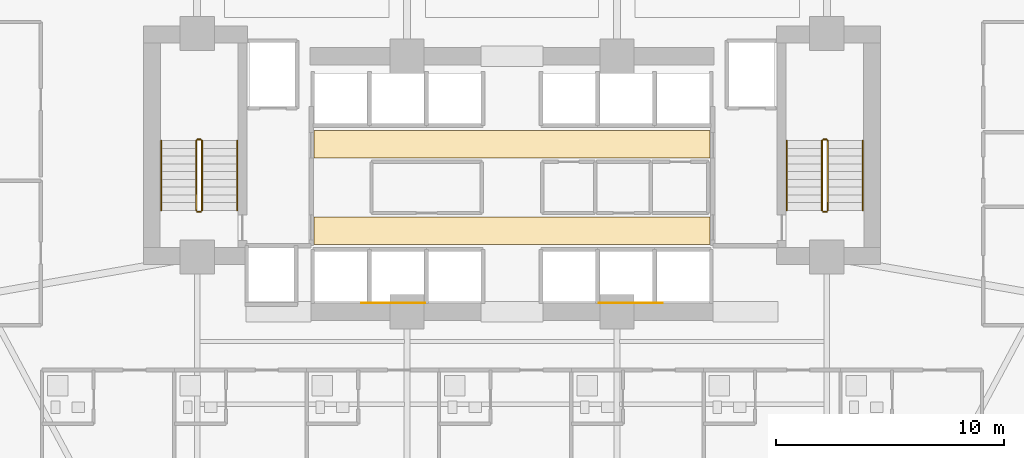
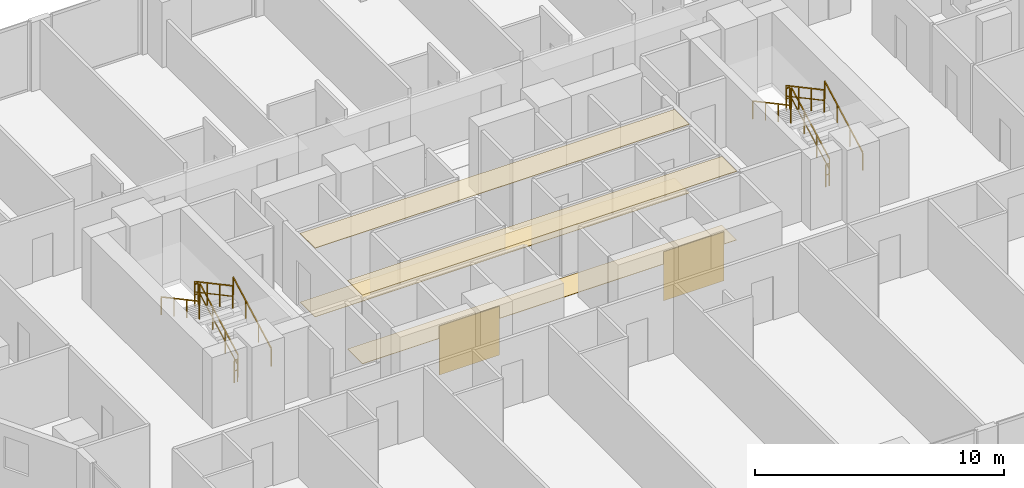
# One storey, part 27 of 29: 12 railings, 6 coverings.
"""IFC4 building model written with IfcOpenShell, lengths in metres."""

import ifcopenshell
import ifcopenshell.guid

model = None  # the IFC model being written
_history = None  # IfcOwnerHistory: only IFC2X3 demands one
_inside = {}  # id of a spatial element -> (the spatial element, [elements in it])
_under = {}  # id of a project, library or spatial element -> (it, [spatial elements below it])
_declared = {}  # id of a project -> (the project, [libraries it declares])
_typed = {}  # id of a type object -> (the type object, [elements of that type])
_made_of = {}  # id of a material, layer set ... -> (it, [elements and type objects made of it])


def new_model(schema):
    """Start an empty IFC model of exactly this schema.

    Asked for "IFC4X3", IfcOpenShell would pick the latest addendum, in which some entities
    have other attributes; the version numbers below select the first issue.
    IFC2X3 requires an IfcOwnerHistory on every rooted entity: one is made here for all.
    """
    global model, _history
    if schema == "IFC4X3":
        model = ifcopenshell.file(schema_version=(4, 3, 0, 0))
    else:
        model = ifcopenshell.file(schema=schema)
    _inside.clear()
    _under.clear()
    _declared.clear()
    _typed.clear()
    _made_of.clear()
    _history = None
    if model.schema == "IFC2X3":
        org = make("IfcOrganization", Name="unknown")
        user = make(
            "IfcPersonAndOrganization",
            ThePerson=make("IfcPerson", FamilyName="unknown"),
            TheOrganization=org,
        )
        app = make(
            "IfcApplication",
            ApplicationDeveloper=org,
            Version="unknown",
            ApplicationFullName="unknown",
            ApplicationIdentifier="unknown",
        )
        _history = make(
            "IfcOwnerHistory",
            OwningUser=user,
            OwningApplication=app,
            ChangeAction="ADDED",
            CreationDate=0,
        )
    return model


def make(cls, **values):
    """One entity of the class cls with the attributes given. An attribute that is None is left unset."""
    return model.create_entity(
        cls, **{name: value for name, value in values.items() if value is not None}
    )


def rooted(cls, **values):
    """An entity with a GlobalId (a new one), such as an element, a storey or a relation."""
    return make(cls, GlobalId=ifcopenshell.guid.new(), OwnerHistory=_history, **values)


def si_unit(unit_type, name, prefix=None):
    """IfcSIUnit, for example si_unit("LENGTHUNIT", "METRE", prefix="MILLI")."""
    return make("IfcSIUnit", UnitType=unit_type, Prefix=prefix, Name=name)


def assignment(units):
    """IfcUnitAssignment: the units of a project."""
    return None if units is None else make("IfcUnitAssignment", Units=units)


def point(xyz):
    """IfcCartesianPoint."""
    return None if xyz is None else make("IfcCartesianPoint", Coordinates=xyz)


def direction(xyz):
    """IfcDirection."""
    return None if xyz is None else make("IfcDirection", DirectionRatios=xyz)


def frame(location, z_axis=None, x_axis=None):
    """IfcAxis2Placement3D, a coordinate frame: its origin and axes. An axis left out is left unset."""
    return make(
        "IfcAxis2Placement3D",
        Location=point(location),
        Axis=direction(z_axis),
        RefDirection=direction(x_axis),
    )


def frame_2d(location, x_axis=None):
    """IfcAxis2Placement2D, a coordinate frame in the plane: its origin and x axis."""
    return make(
        "IfcAxis2Placement2D", Location=point(location), RefDirection=direction(x_axis)
    )


def origin():
    """The frame at (0, 0, 0) with its axes left unset."""
    return frame((0.0, 0.0, 0.0))


def origin_2d():
    """The frame at (0, 0) in the plane with its x axis left unset."""
    return frame_2d((0.0, 0.0))


def place(relative_to, where):
    """IfcLocalPlacement: puts the frame where relative to a parent placement (None: the world)."""
    return make(
        "IfcLocalPlacement", PlacementRelTo=relative_to, RelativePlacement=where
    )


def context(
    kind, dimensions, precision=None, world=None, true_north=None, identifier=None
):
    """IfcGeometricRepresentationContext, for example the 3D "Model" context."""
    return make(
        "IfcGeometricRepresentationContext",
        ContextIdentifier=identifier,
        ContextType=kind,
        CoordinateSpaceDimension=dimensions,
        Precision=precision,
        WorldCoordinateSystem=world,
        TrueNorth=true_north,
    )


def subcontext(parent, identifier, kind, view, scale=None):
    """IfcGeometricRepresentationSubContext, for example "Body" below "Model"."""
    return make(
        "IfcGeometricRepresentationSubContext",
        ContextIdentifier=identifier,
        ContextType=kind,
        ParentContext=parent,
        TargetScale=scale,
        TargetView=view,
    )


def project(units=None, contexts=None):
    """IfcProject with its units and contexts."""
    return rooted(
        "IfcProject",
        Name="project",
        RepresentationContexts=contexts,
        UnitsInContext=assignment(units),
    )


def spatial(cls, under=None, at=None, **own):
    """A site, building, storey or space (cls), placed at a placement, below another one or the project."""
    s = rooted(cls, ObjectPlacement=at, **own)
    if under is not None:
        _under.setdefault(under.id(), (under, []))[1].append(s)
    return s


def polyline(points):
    """IfcPolyline through the points."""
    return make("IfcPolyline", Points=[point(p) for p in points])


def profile(cls, at=None, kind="AREA", **sizes):
    """A parametric profile (cls). Its sizes go by their IFC names, for example OverallWidth=200.0."""
    return make(cls, ProfileType=kind, Position=at, **sizes)


def rectangle(**sizes):
    """IfcRectangleProfileDef."""
    return profile("IfcRectangleProfileDef", **sizes)


def outline(outer, holes=None, kind="AREA"):
    """IfcArbitraryClosedProfileDef: a profile drawn as a closed curve; with holes, ...WithVoids."""
    if holes is None:
        return make("IfcArbitraryClosedProfileDef", ProfileType=kind, OuterCurve=outer)
    return make(
        "IfcArbitraryProfileDefWithVoids",
        ProfileType=kind,
        OuterCurve=outer,
        InnerCurves=holes,
    )


def extrude(swept, where, along, depth):
    """IfcExtrudedAreaSolid: the profile swept, set in the frame where, extruded along a direction by depth."""
    return make(
        "IfcExtrudedAreaSolid",
        SweptArea=swept,
        Position=where,
        ExtrudedDirection=direction(along),
        Depth=depth,
    )


def shape(context_of_items, identifier, shape_type, items):
    """IfcShapeRepresentation: the items that make up one representation, for example the "Body"."""
    return make(
        "IfcShapeRepresentation",
        ContextOfItems=context_of_items,
        RepresentationIdentifier=identifier,
        RepresentationType=shape_type,
        Items=items,
    )


def material(Name=None, Category=None):
    """IfcMaterial."""
    return make("IfcMaterial", Name=Name, Category=Category)


def layer(
    of_material, thickness, ventilated=None, Name=None, Category=None, Priority=None
):
    """IfcMaterialLayer: one layer of a wall or slab, of a material (None: an air gap)."""
    return make(
        "IfcMaterialLayer",
        Material=of_material,
        LayerThickness=thickness,
        IsVentilated=ventilated,
        Name=Name,
        Category=Category,
        Priority=Priority,
    )


def layer_set(layers, Name=None):
    """IfcMaterialLayerSet."""
    return make("IfcMaterialLayerSet", MaterialLayers=layers, LayerSetName=Name)


def made_of(thing, what):
    """Note that an element or type object is made of a material, layer set ...; save() writes the relation."""
    if what is not None:
        _made_of.setdefault(what.id(), (what, []))[1].append(thing)
    return thing


def type_object(cls, material=None, **own):
    """A type object (cls), such as IfcWallType, which elements share."""
    return made_of(rooted(cls, **own), material)


def element(
    cls,
    number,
    at=None,
    inside=None,
    cuts=None,
    type_object=None,
    material=None,
    context=None,
    identifier="Body",
    shape_type=None,
    held_by="IfcProductDefinitionShape",
    body=None,
    shapes=None,
    **own,
):
    """One element of the class cls, such as IfcWall. Its Tag is "e" and its number.

    at: its placement. inside: the storey or other place that contains it. cuts: it is an
    opening in that element (IfcRelVoidsElement). A single representation is given by context,
    identifier, shape_type and body (its items); several are given by shapes. held_by: the class
    of the entity that holds the representations. save() writes the other relations.
    """
    e = rooted(cls, Tag="e%d" % number, ObjectPlacement=at, **own)
    if body is not None:
        shapes = [shape(context, identifier, shape_type, body)]
    if shapes is not None:
        e.Representation = make(held_by, Representations=shapes)
    if inside is not None:
        _inside.setdefault(inside.id(), (inside, []))[1].append(e)
    if cuts is not None:
        rooted(
            "IfcRelVoidsElement", RelatingBuildingElement=cuts, RelatedOpeningElement=e
        )
    if type_object is not None:
        _typed.setdefault(type_object.id(), (type_object, []))[1].append(e)
    return made_of(e, material)


def aggregate(whole, parts):
    """IfcRelAggregates: a whole, such as a stair, and the parts it consists of."""
    return rooted("IfcRelAggregates", RelatingObject=whole, RelatedObjects=parts)


def save(model, path):
    """Write the relations noted so far, then the file.

    IfcRelAggregates (storeys below a building ...), IfcRelContainedInSpatialStructure (elements
    in a storey), IfcRelDefinesByType, IfcRelAssociatesMaterial and IfcRelDeclares: one each for
    every whole, place, type object, material and project.
    """
    for whole, parts in _under.values():
        aggregate(whole, parts)
    for where, things in _inside.values():
        rooted(
            "IfcRelContainedInSpatialStructure",
            RelatedElements=things,
            RelatingStructure=where,
        )
    for kind, things in _typed.values():
        rooted("IfcRelDefinesByType", RelatedObjects=things, RelatingType=kind)
    for what, things in _made_of.values():
        rooted("IfcRelAssociatesMaterial", RelatedObjects=things, RelatingMaterial=what)
    for by, libraries in _declared.values():
        rooted("IfcRelDeclares", RelatingContext=by, RelatedDefinitions=libraries)
    model.write(path)


model = new_model("IFC4")

# Units and contexts
model_context = context("Model", 3, precision=1e-05, world=origin(), true_north=direction((0.0, 1.0)))
body_context = subcontext(model_context, "Body", "Model", "MODEL_VIEW")
ifc_project = project(units=[si_unit("LENGTHUNIT", "METRE"), si_unit("AREAUNIT", "SQUARE_METRE"), si_unit("VOLUMEUNIT", "CUBIC_METRE"), si_unit("PLANEANGLEUNIT", "RADIAN"), si_unit("MASSUNIT", "GRAM", prefix="KILO")], contexts=[model_context])

# Site, building, storey
site_placement = place(None, origin())
site = spatial("IfcSite", under=ifc_project, at=site_placement, CompositionType="ELEMENT")
building_placement = place(site_placement, origin())
building = spatial("IfcBuilding", under=site, at=building_placement, Name="Zuhayl Quay Hotel", CompositionType="ELEMENT")
storey_placement = place(building_placement, frame((0.0, 0.0, 158.550048828125)))
storey = spatial("IfcBuildingStorey", under=building, at=storey_placement, Name="L40", CompositionType="ELEMENT", Elevation=158.550048828125)

# Coverings
ifc_material_1 = material(Name="Acoustic Mineral-Fibre Gypsum Board")
ifc_layer_1 = layer(ifc_material_1, 0.02490234375, Name="Acoustic Mineral-Fibre Gypsum Board")
ifc_layer_set_1 = layer_set([ifc_layer_1], Name="Acoustic Mineral-Fibre Gypsum Board")
covering_type_1 = type_object("IfcCoveringType", Name="CV_CEIL_ACOUSTIC", PredefinedType="CEILING", material=ifc_layer_set_1)
covering_1_placement = place(storey_placement, frame((0.0, 0.0, 3.364990234375)))
element("IfcCovering", 1, at=covering_1_placement, inside=storey, type_object=covering_type_1, Name="L40 Suspended Acoustic Lobby Ceiling S", PredefinedType="CEILING", context=body_context, shape_type="SweptSolid", body=[
    extrude(outline(polyline([(-8.679931640625, 5.10009765625), (8.679931640625, 5.10009765625), (8.679931640625, 6.300048828125), (-8.679931640625, 6.300048828125), (-8.679931640625, 5.10009765625)])), origin(), (0.0, 0.0, 1.0), 0.02490234375),
])
covering_2_placement = place(storey_placement, frame((0.0, 0.0, 3.364990234375)))
element("IfcCovering", 2, at=covering_2_placement, inside=storey, type_object=covering_type_1, Name="L40 Suspended Acoustic Lobby Ceiling N", PredefinedType="CEILING", context=body_context, shape_type="SweptSolid", body=[
    extrude(outline(polyline([(-8.679931640625, 8.89990234375), (8.679931640625, 8.89990234375), (8.679931640625, 10.10009765625), (-8.679931640625, 10.10009765625), (-8.679931640625, 8.89990234375)])), origin(), (0.0, 0.0, 1.0), 0.02490234375),
])
ifc_material_2 = material(Name="Polished Limestone Terrazzo", Category="masonry")
ifc_layer_2 = layer(ifc_material_2, 0.02001953125, Name="Polished Limestone Terrazzo", Category="masonry")
ifc_layer_set_2 = layer_set([ifc_layer_2], Name="Polished Limestone Terrazzo")
covering_type_2 = type_object("IfcCoveringType", Name="CV_FLOOR_TERRAZZO", PredefinedType="FLOORING", material=ifc_layer_set_2)
covering_3_placement = place(storey_placement, origin())
element("IfcCovering", 3, at=covering_3_placement, inside=storey, type_object=covering_type_2, Name="L40 Honed Limestone Terrazzo Lobby Flooring S", PredefinedType="FLOORING", context=body_context, shape_type="SweptSolid", body=[
    extrude(outline(polyline([(-8.679931640625, 5.10009765625), (8.679931640625, 5.10009765625), (8.679931640625, 6.300048828125), (-8.679931640625, 6.300048828125), (-8.679931640625, 5.10009765625)])), origin(), (0.0, 0.0, 1.0), 0.02001953125),
])
covering_4_placement = place(storey_placement, origin())
element("IfcCovering", 4, at=covering_4_placement, inside=storey, type_object=covering_type_2, Name="L40 Honed Limestone Terrazzo Lobby Flooring N", PredefinedType="FLOORING", context=body_context, shape_type="SweptSolid", body=[
    extrude(outline(polyline([(-8.679931640625, 8.89990234375), (8.679931640625, 8.89990234375), (8.679931640625, 10.10009765625), (-8.679931640625, 10.10009765625), (-8.679931640625, 8.89990234375)])), origin(), (0.0, 0.0, 1.0), 0.02001953125),
])
ifc_material_3 = material(Name="Acoustic Walnut Feature Timber", Category="wood")
ifc_layer_3 = layer(ifc_material_3, 0.02197265625, Name="Acoustic Walnut Feature Timber", Category="wood")
ifc_layer_set_3 = layer_set([ifc_layer_3], Name="Acoustic Walnut Feature Timber")
covering_type_3 = type_object("IfcCoveringType", Name="CV_WALL_CLAD", PredefinedType="CLADDING", material=ifc_layer_set_3)
for number, where, z_axis, x_axis, name in (
    (5, (-5.199951171875, 2.535888671875, 0.300048828125), (0.0, 0.0, 1.0), (1.0, 0.0, 0.0), "L40 Feature Lobby Walnut Wall Cladding W"),
    (6, (5.199951171875, 2.535888671875, 0.300048828125), (0.0, 0.0, 1.0), (1.0, 0.0, 0.0), "L40 Feature Lobby Walnut Wall Cladding E"),
):
    element("IfcCovering", number, at=place(storey_placement, frame(where, z_axis=z_axis, x_axis=x_axis)), inside=storey, type_object=covering_type_3, Name=name, PredefinedType="CLADDING", context=body_context, shape_type="SweptSolid", body=[
        extrude(rectangle(XDim=2.800048828125, YDim=0.02197265625, at=origin_2d()), origin(), (0.0, 0.0, 1.0), 2.39990234375),
    ])

# Railings
ifc_material_4 = material(Name="Steel ASTM A992 Grade 50", Category="steel")
railing_type_1 = type_object("IfcRailingType", Name="RL_GUARD_1100", PredefinedType="GUARDRAIL", material=ifc_material_4)
railing_1_placement = place(storey_placement, frame((-13.590087890625, 6.590087890625, 0.182373046875)))
element("IfcRailing", 7, at=railing_1_placement, inside=storey, type_object=railing_type_1, Name="L40 ST1 stair guard 1", PredefinedType="GUARDRAIL", context=body_context, shape_type="SweptSolid", body=[
    extrude(rectangle(XDim=0.048095703125, YDim=0.048095703125, at=origin_2d()), frame((0.0, 0.0, 1.09619140625), z_axis=(0.0, 0.88107310026, 0.472980117973), x_axis=(-1.0, 0.0, 0.0)), (0.0, 0.0, 1.0), 3.472900390625),
    extrude(rectangle(XDim=0.0361328125, YDim=0.0361328125, at=origin_2d()), frame((0.0, 0.0, 0.58251953125), z_axis=(0.0, 0.88107310026, 0.472980117973), x_axis=(-1.0, 0.0, 0.0)), (0.0, 0.0, 1.0), 3.472900390625),
    extrude(rectangle(XDim=0.0419921875, YDim=0.0419921875, at=origin_2d()), origin(), (0.0, 0.0, 1.0), 1.072021484375),
    extrude(rectangle(XDim=0.0419921875, YDim=0.0419921875, at=origin_2d()), frame((0.0, 1.02001953125, 0.547607421875)), (0.0, 0.0, 1.0), 1.072021484375),
    extrude(rectangle(XDim=0.0419921875, YDim=0.0419921875, at=origin_2d()), frame((0.0, 2.039794921875, 1.094970703125)), (0.0, 0.0, 1.0), 1.072021484375),
    extrude(rectangle(XDim=0.0419921875, YDim=0.0419921875, at=origin_2d()), frame((0.0, 3.059814453125, 1.642578125)), (0.0, 0.0, 1.0), 1.072021484375),
])
railing_2_placement = place(storey_placement, frame((-13.639892578125, 9.699951171875, 1.824951171875)))
element("IfcRailing", 8, at=railing_2_placement, inside=storey, type_object=railing_type_1, Name="L40 ST1 stair guard 2", PredefinedType="GUARDRAIL", context=body_context, shape_type="SweptSolid", body=[
    extrude(rectangle(XDim=0.048095703125, YDim=0.048095703125, at=origin_2d()), frame((0.0, 0.0, 1.09619140625), z_axis=(-1.0, 0.0, 0.0), x_axis=(0.0, -1.0, 0.0)), (0.0, 0.0, 1.0), 0.150146484375),
    extrude(rectangle(XDim=0.0361328125, YDim=0.0361328125, at=origin_2d()), frame((0.0, 0.0, 0.58251953125), z_axis=(-1.0, 0.0, 0.0), x_axis=(0.0, -1.0, 0.0)), (0.0, 0.0, 1.0), 0.150146484375),
    extrude(rectangle(XDim=0.0419921875, YDim=0.0419921875, at=origin_2d()), origin(), (0.0, 0.0, 1.0), 1.072021484375),
    extrude(rectangle(XDim=0.0419921875, YDim=0.0419921875, at=origin_2d()), frame((-0.150146484375, 0.0, 0.0)), (0.0, 0.0, 1.0), 1.072021484375),
])
railing_3_placement = place(storey_placement, frame((-13.840087890625, 9.64990234375, 2.007568359375)))
element("IfcRailing", 9, at=railing_3_placement, inside=storey, type_object=railing_type_1, Name="L40 ST1 stair guard 3", PredefinedType="GUARDRAIL", context=body_context, shape_type="SweptSolid", body=[
    extrude(rectangle(XDim=0.048095703125, YDim=0.048095703125, at=origin_2d()), frame((0.0, 0.0, 1.09619140625), z_axis=(0.0, -0.881102395774, 0.472925541879), x_axis=(1.0, 0.0, 0.0)), (0.0, 0.0, 1.0), 3.47265625),
    extrude(rectangle(XDim=0.0361328125, YDim=0.0361328125, at=origin_2d()), frame((0.0, 0.0, 0.58251953125), z_axis=(0.0, -0.881102395774, 0.472925541879), x_axis=(1.0, 0.0, 0.0)), (0.0, 0.0, 1.0), 3.47265625),
    extrude(rectangle(XDim=0.0419921875, YDim=0.0419921875, at=origin_2d()), origin(), (0.0, 0.0, 1.0), 1.072021484375),
    extrude(rectangle(XDim=0.0419921875, YDim=0.0419921875, at=origin_2d()), frame((0.0, -1.02001953125, 0.54736328125)), (0.0, 0.0, 1.0), 1.072021484375),
    extrude(rectangle(XDim=0.0419921875, YDim=0.0419921875, at=origin_2d()), frame((0.0, -2.039794921875, 1.094970703125)), (0.0, 0.0, 1.0), 1.072021484375),
    extrude(rectangle(XDim=0.0419921875, YDim=0.0419921875, at=origin_2d()), frame((0.0, -3.059814453125, 1.642333984375)), (0.0, 0.0, 1.0), 1.072021484375),
])
railing_4_placement = place(storey_placement, frame((-13.639892578125, 6.5400390625, 0.0)))
element("IfcRailing", 10, at=railing_4_placement, inside=storey, type_object=railing_type_1, Name="L40 ST1 stair guard 4", PredefinedType="GUARDRAIL", context=body_context, shape_type="SweptSolid", body=[
    extrude(rectangle(XDim=0.048095703125, YDim=0.048095703125, at=origin_2d()), frame((0.0, 0.0, 1.09619140625), z_axis=(-1.0, 0.0, 0.0), x_axis=(0.0, -1.0, 0.0)), (0.0, 0.0, 1.0), 0.150146484375),
    extrude(rectangle(XDim=0.0361328125, YDim=0.0361328125, at=origin_2d()), frame((0.0, 0.0, 0.58251953125), z_axis=(-1.0, 0.0, 0.0), x_axis=(0.0, -1.0, 0.0)), (0.0, 0.0, 1.0), 0.150146484375),
    extrude(rectangle(XDim=0.0419921875, YDim=0.0419921875, at=origin_2d()), origin(), (0.0, 0.0, 1.0), 1.072021484375),
    extrude(rectangle(XDim=0.0419921875, YDim=0.0419921875, at=origin_2d()), frame((-0.150146484375, 0.0, 0.0)), (0.0, 0.0, 1.0), 1.072021484375),
])
railing_5_placement = place(storey_placement, frame((13.840087890625, 6.590087890625, 0.182373046875)))
element("IfcRailing", 11, at=railing_5_placement, inside=storey, type_object=railing_type_1, Name="L40 ST2 stair guard 1", PredefinedType="GUARDRAIL", context=body_context, shape_type="SweptSolid", body=[
    extrude(rectangle(XDim=0.048095703125, YDim=0.048095703125, at=origin_2d()), frame((0.0, 0.0, 1.09619140625), z_axis=(0.0, 0.88107310026, 0.472980117973), x_axis=(-1.0, 0.0, 0.0)), (0.0, 0.0, 1.0), 3.472900390625),
    extrude(rectangle(XDim=0.0361328125, YDim=0.0361328125, at=origin_2d()), frame((0.0, 0.0, 0.58251953125), z_axis=(0.0, 0.88107310026, 0.472980117973), x_axis=(-1.0, 0.0, 0.0)), (0.0, 0.0, 1.0), 3.472900390625),
    extrude(rectangle(XDim=0.0419921875, YDim=0.0419921875, at=origin_2d()), origin(), (0.0, 0.0, 1.0), 1.072021484375),
    extrude(rectangle(XDim=0.0419921875, YDim=0.0419921875, at=origin_2d()), frame((0.0, 1.02001953125, 0.547607421875)), (0.0, 0.0, 1.0), 1.072021484375),
    extrude(rectangle(XDim=0.0419921875, YDim=0.0419921875, at=origin_2d()), frame((0.0, 2.039794921875, 1.094970703125)), (0.0, 0.0, 1.0), 1.072021484375),
    extrude(rectangle(XDim=0.0419921875, YDim=0.0419921875, at=origin_2d()), frame((0.0, 3.059814453125, 1.642578125)), (0.0, 0.0, 1.0), 1.072021484375),
])
railing_6_placement = place(storey_placement, frame((13.7900390625, 9.699951171875, 1.824951171875)))
element("IfcRailing", 12, at=railing_6_placement, inside=storey, type_object=railing_type_1, Name="L40 ST2 stair guard 2", PredefinedType="GUARDRAIL", context=body_context, shape_type="SweptSolid", body=[
    extrude(rectangle(XDim=0.048095703125, YDim=0.048095703125, at=origin_2d()), frame((0.0, 0.0, 1.09619140625), z_axis=(-1.0, 0.0, 0.0), x_axis=(0.0, -1.0, 0.0)), (0.0, 0.0, 1.0), 0.150146484375),
    extrude(rectangle(XDim=0.0361328125, YDim=0.0361328125, at=origin_2d()), frame((0.0, 0.0, 0.58251953125), z_axis=(-1.0, 0.0, 0.0), x_axis=(0.0, -1.0, 0.0)), (0.0, 0.0, 1.0), 0.150146484375),
    extrude(rectangle(XDim=0.0419921875, YDim=0.0419921875, at=origin_2d()), origin(), (0.0, 0.0, 1.0), 1.072021484375),
    extrude(rectangle(XDim=0.0419921875, YDim=0.0419921875, at=origin_2d()), frame((-0.150146484375, 0.0, 0.0)), (0.0, 0.0, 1.0), 1.072021484375),
])
railing_7_placement = place(storey_placement, frame((13.590087890625, 9.64990234375, 2.007568359375)))
element("IfcRailing", 13, at=railing_7_placement, inside=storey, type_object=railing_type_1, Name="L40 ST2 stair guard 3", PredefinedType="GUARDRAIL", context=body_context, shape_type="SweptSolid", body=[
    extrude(rectangle(XDim=0.048095703125, YDim=0.048095703125, at=origin_2d()), frame((0.0, 0.0, 1.09619140625), z_axis=(0.0, -0.881102395774, 0.472925541879), x_axis=(1.0, 0.0, 0.0)), (0.0, 0.0, 1.0), 3.47265625),
    extrude(rectangle(XDim=0.0361328125, YDim=0.0361328125, at=origin_2d()), frame((0.0, 0.0, 0.58251953125), z_axis=(0.0, -0.881102395774, 0.472925541879), x_axis=(1.0, 0.0, 0.0)), (0.0, 0.0, 1.0), 3.47265625),
    extrude(rectangle(XDim=0.0419921875, YDim=0.0419921875, at=origin_2d()), origin(), (0.0, 0.0, 1.0), 1.072021484375),
    extrude(rectangle(XDim=0.0419921875, YDim=0.0419921875, at=origin_2d()), frame((0.0, -1.02001953125, 0.54736328125)), (0.0, 0.0, 1.0), 1.072021484375),
    extrude(rectangle(XDim=0.0419921875, YDim=0.0419921875, at=origin_2d()), frame((0.0, -2.039794921875, 1.094970703125)), (0.0, 0.0, 1.0), 1.072021484375),
    extrude(rectangle(XDim=0.0419921875, YDim=0.0419921875, at=origin_2d()), frame((0.0, -3.059814453125, 1.642333984375)), (0.0, 0.0, 1.0), 1.072021484375),
])
railing_8_placement = place(storey_placement, frame((13.7900390625, 6.5400390625, 0.0)))
element("IfcRailing", 14, at=railing_8_placement, inside=storey, type_object=railing_type_1, Name="L40 ST2 stair guard 4", PredefinedType="GUARDRAIL", context=body_context, shape_type="SweptSolid", body=[
    extrude(rectangle(XDim=0.048095703125, YDim=0.048095703125, at=origin_2d()), frame((0.0, 0.0, 1.09619140625), z_axis=(-1.0, 0.0, 0.0), x_axis=(0.0, -1.0, 0.0)), (0.0, 0.0, 1.0), 0.150146484375),
    extrude(rectangle(XDim=0.0361328125, YDim=0.0361328125, at=origin_2d()), frame((0.0, 0.0, 0.58251953125), z_axis=(-1.0, 0.0, 0.0), x_axis=(0.0, -1.0, 0.0)), (0.0, 0.0, 1.0), 0.150146484375),
    extrude(rectangle(XDim=0.0419921875, YDim=0.0419921875, at=origin_2d()), origin(), (0.0, 0.0, 1.0), 1.072021484375),
    extrude(rectangle(XDim=0.0419921875, YDim=0.0419921875, at=origin_2d()), frame((-0.150146484375, 0.0, 0.0)), (0.0, 0.0, 1.0), 1.072021484375),
])
railing_type_2 = type_object("IfcRailingType", Name="RL_HANDRAIL_920", PredefinedType="HANDRAIL", material=ifc_material_4)
railing_9_placement = place(storey_placement, frame((-12.050048828125, 6.590087890625, 0.182373046875)))
element("IfcRailing", 15, at=railing_9_placement, inside=storey, type_object=railing_type_2, Name="L40 ST1 stair handrail 1", PredefinedType="HANDRAIL", context=body_context, shape_type="SweptSolid", body=[
    extrude(rectangle(XDim=0.048095703125, YDim=0.048095703125, at=origin_2d()), frame((0.0, 0.0, 0.8759765625), z_axis=(0.0, 0.88107310026, 0.472980117973), x_axis=(-1.0, 0.0, 0.0)), (0.0, 0.0, 1.0), 3.472900390625),
    extrude(rectangle(XDim=0.0419921875, YDim=0.0419921875, at=origin_2d()), origin(), (0.0, 0.0, 1.0), 0.851806640625),
    extrude(rectangle(XDim=0.0419921875, YDim=0.0419921875, at=origin_2d()), frame((0.0, 1.02001953125, 0.547607421875)), (0.0, 0.0, 1.0), 0.851806640625),
    extrude(rectangle(XDim=0.0419921875, YDim=0.0419921875, at=origin_2d()), frame((0.0, 2.039794921875, 1.094970703125)), (0.0, 0.0, 1.0), 0.851806640625),
    extrude(rectangle(XDim=0.0419921875, YDim=0.0419921875, at=origin_2d()), frame((0.0, 3.059814453125, 1.642578125)), (0.0, 0.0, 1.0), 0.851806640625),
])
railing_10_placement = place(storey_placement, frame((-15.3798828125, 9.64990234375, 2.007568359375)))
element("IfcRailing", 16, at=railing_10_placement, inside=storey, type_object=railing_type_2, Name="L40 ST1 stair handrail 2", PredefinedType="HANDRAIL", context=body_context, shape_type="SweptSolid", body=[
    extrude(rectangle(XDim=0.048095703125, YDim=0.048095703125, at=origin_2d()), frame((0.0, 0.0, 0.8759765625), z_axis=(0.0, -0.881102395774, 0.472925541879), x_axis=(1.0, 0.0, 0.0)), (0.0, 0.0, 1.0), 3.47265625),
    extrude(rectangle(XDim=0.0419921875, YDim=0.0419921875, at=origin_2d()), origin(), (0.0, 0.0, 1.0), 0.851806640625),
    extrude(rectangle(XDim=0.0419921875, YDim=0.0419921875, at=origin_2d()), frame((0.0, -1.02001953125, 0.54736328125)), (0.0, 0.0, 1.0), 0.851806640625),
    extrude(rectangle(XDim=0.0419921875, YDim=0.0419921875, at=origin_2d()), frame((0.0, -2.039794921875, 1.094970703125)), (0.0, 0.0, 1.0), 0.851806640625),
    extrude(rectangle(XDim=0.0419921875, YDim=0.0419921875, at=origin_2d()), frame((0.0, -3.059814453125, 1.642333984375)), (0.0, 0.0, 1.0), 0.851806640625),
])
railing_11_placement = place(storey_placement, frame((15.3798828125, 6.590087890625, 0.182373046875)))
element("IfcRailing", 17, at=railing_11_placement, inside=storey, type_object=railing_type_2, Name="L40 ST2 stair handrail 1", PredefinedType="HANDRAIL", context=body_context, shape_type="SweptSolid", body=[
    extrude(rectangle(XDim=0.048095703125, YDim=0.048095703125, at=origin_2d()), frame((0.0, 0.0, 0.8759765625), z_axis=(0.0, 0.88107310026, 0.472980117973), x_axis=(-1.0, 0.0, 0.0)), (0.0, 0.0, 1.0), 3.472900390625),
    extrude(rectangle(XDim=0.0419921875, YDim=0.0419921875, at=origin_2d()), origin(), (0.0, 0.0, 1.0), 0.851806640625),
    extrude(rectangle(XDim=0.0419921875, YDim=0.0419921875, at=origin_2d()), frame((0.0, 1.02001953125, 0.547607421875)), (0.0, 0.0, 1.0), 0.851806640625),
    extrude(rectangle(XDim=0.0419921875, YDim=0.0419921875, at=origin_2d()), frame((0.0, 2.039794921875, 1.094970703125)), (0.0, 0.0, 1.0), 0.851806640625),
    extrude(rectangle(XDim=0.0419921875, YDim=0.0419921875, at=origin_2d()), frame((0.0, 3.059814453125, 1.642578125)), (0.0, 0.0, 1.0), 0.851806640625),
])
railing_12_placement = place(storey_placement, frame((12.050048828125, 9.64990234375, 2.007568359375)))
element("IfcRailing", 18, at=railing_12_placement, inside=storey, type_object=railing_type_2, Name="L40 ST2 stair handrail 2", PredefinedType="HANDRAIL", context=body_context, shape_type="SweptSolid", body=[
    extrude(rectangle(XDim=0.048095703125, YDim=0.048095703125, at=origin_2d()), frame((0.0, 0.0, 0.8759765625), z_axis=(0.0, -0.881102395774, 0.472925541879), x_axis=(1.0, 0.0, 0.0)), (0.0, 0.0, 1.0), 3.47265625),
    extrude(rectangle(XDim=0.0419921875, YDim=0.0419921875, at=origin_2d()), origin(), (0.0, 0.0, 1.0), 0.851806640625),
    extrude(rectangle(XDim=0.0419921875, YDim=0.0419921875, at=origin_2d()), frame((0.0, -1.02001953125, 0.54736328125)), (0.0, 0.0, 1.0), 0.851806640625),
    extrude(rectangle(XDim=0.0419921875, YDim=0.0419921875, at=origin_2d()), frame((0.0, -2.039794921875, 1.094970703125)), (0.0, 0.0, 1.0), 0.851806640625),
    extrude(rectangle(XDim=0.0419921875, YDim=0.0419921875, at=origin_2d()), frame((0.0, -3.059814453125, 1.642333984375)), (0.0, 0.0, 1.0), 0.851806640625),
])

save(model, "model.ifc")
